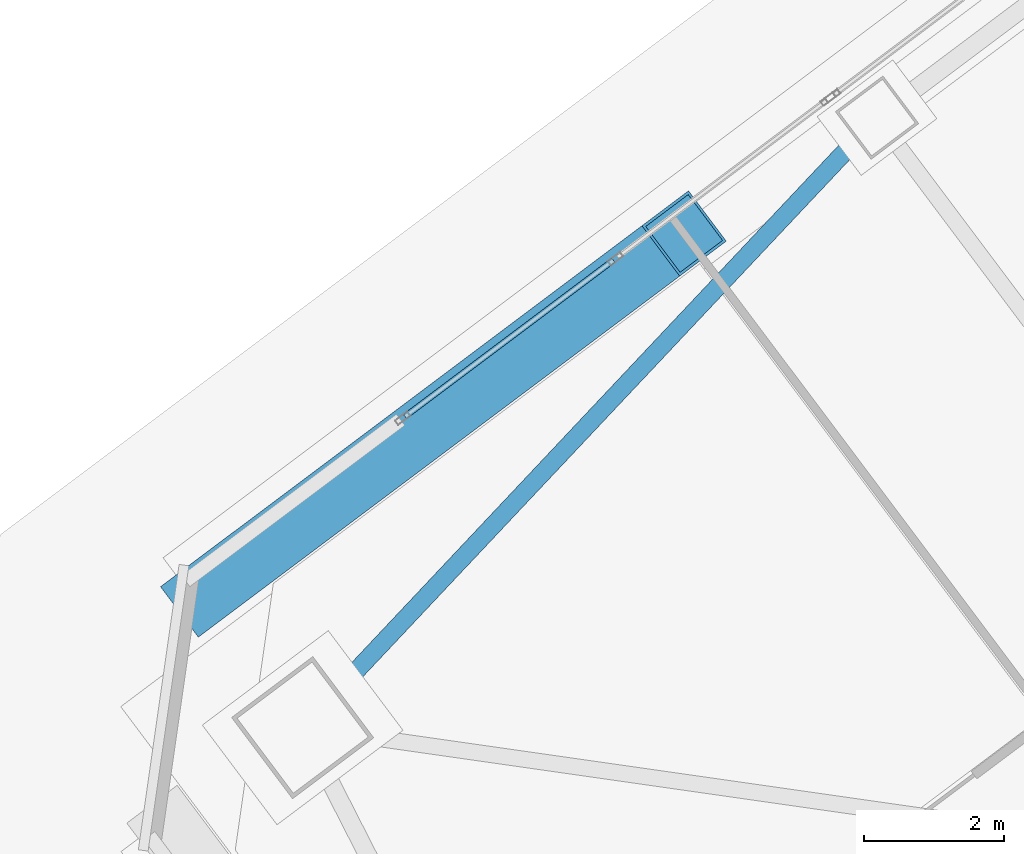
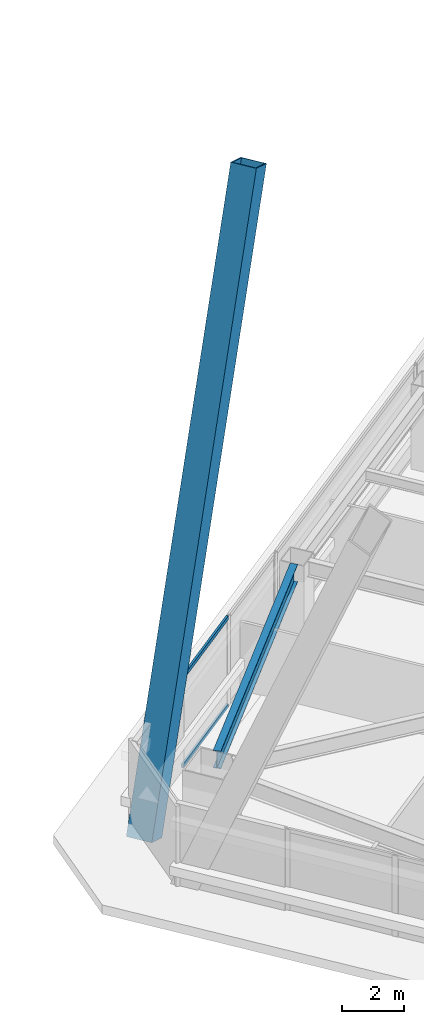
# One storey, part 46 of 67: 3 members, 1 beam, 1 element without a shape of its own.
"""IFC4 building model written with IfcOpenShell, lengths in metres."""

from ifc_helpers import new_model, si_unit, direction, frame, origin, origin_2d, place, context, subcontext, project, spatial, hollow_rectangle, i_section, extrude, material, material_profile, profile_set, type_object, element, aggregate, save


model = new_model("IFC4")

# Units and contexts
model_context = context("Model", 3, precision=1e-05, world=origin(), true_north=direction((0.0, 1.0)))
body_context = subcontext(model_context, "Body", "Model", "MODEL_VIEW")
ifc_project = project(units=[si_unit("LENGTHUNIT", "METRE"), si_unit("AREAUNIT", "SQUARE_METRE"), si_unit("VOLUMEUNIT", "CUBIC_METRE"), si_unit("PLANEANGLEUNIT", "RADIAN"), si_unit("MASSUNIT", "GRAM", prefix="KILO")], contexts=[model_context])

# Site, building, storey
site_placement = place(None, origin())
site = spatial("IfcSite", under=ifc_project, at=site_placement, CompositionType="ELEMENT")
building_placement = place(site_placement, origin())
building = spatial("IfcBuilding", under=site, at=building_placement, Name="Tashvorn Skyway Center", CompositionType="ELEMENT")
storey_placement = place(building_placement, frame((0.0, 0.0, 67.199951171875)))
storey = spatial("IfcBuildingStorey", under=building, at=storey_placement, Name="L17", CompositionType="ELEMENT", Elevation=67.199951171875)

# Beam
ifc_material_1 = material(Name="Steel ASTM A992 Grade 50", Category="steel")
ifc_material_profile_1 = material_profile(ifc_material_1, i_section(OverallWidth=0.256103515625, OverallDepth=0.693115234375, WebThickness=0.014404296875, FlangeThickness=0.023681640625, at=origin_2d()), Name="W27X114")
ifc_profile_set_1 = profile_set([ifc_material_profile_1], Name="Steel ASTM A992 Grade 50")
beam_type = type_object("IfcBeamType", Name="BM-SPANDREL-W27X114", PredefinedType="SPANDREL", material=ifc_profile_set_1)
beam_placement = place(storey_placement, frame((97.842041015625, 43.854248046875, 3.003662109375), z_axis=(-0.685484857238, -0.728086883893, 0.0), x_axis=(0.728086883893, -0.685484857238, 0.0)))
element("IfcBeam", 1, at=beam_placement, inside=storey, type_object=beam_type, Name="Tower 2 L17 Spandrel Beam 09", PredefinedType="SPANDREL", context=body_context, shape_type="SweptSolid", body=[
    extrude(i_section(OverallWidth=0.256103515625, OverallDepth=0.693115234375, WebThickness=0.014404296875, FlangeThickness=0.023681640625, at=origin_2d()), origin(), (0.0, 0.0, 1.0), 10.8369140625),
])

# Curtain wall, members
ifc_material_2 = material(Name="Thermally broken bronze-anodized aluminium 6063-T6", Category="aluminium")
curtain_wall_type = type_object("IfcCurtainWallType", Name="CW-CW-Z2", PredefinedType="NOTDEFINED", material=ifc_material_2)
curtain_wall_placement = place(storey_placement, origin())
curtain_wall = element("IfcCurtainWall", 2, at=curtain_wall_placement, inside=storey, type_object=curtain_wall_type, Name="Tower 2 L17 North Unitised Curtain Wall Glazing Group 1", PredefinedType="NOTDEFINED")
ifc_material_profile_2 = material_profile(ifc_material_2, hollow_rectangle(XDim=0.080078125, YDim=0.14990234375, WallThickness=0.00439453125, at=origin_2d()), Name="ALU-TRAN-80x150")
ifc_profile_set_2 = profile_set([ifc_material_profile_2], Name="Thermally broken bronze-anodized aluminium 6063-T6")
member_type_1 = type_object("IfcMemberType", Name="CWT-CW-Z2", PredefinedType="USERDEFINED", material=ifc_profile_set_2)
member_1_placement = place(storey_placement, frame((91.384033203125, 39.887939453125, 0.0400390625), z_axis=(0.799984249419, 0.6000210002, 0.0), x_axis=(-0.6000210002, 0.799984249419, 0.0)))
member_1 = element("IfcMember", 3, at=member_1_placement, type_object=member_type_1, Name="CW-Z2 transom 1.1", ObjectType="TRANSOM", PredefinedType="USERDEFINED", context=body_context, shape_type="SweptSolid", body=[
    extrude(hollow_rectangle(XDim=0.080078125, YDim=0.14990234375, WallThickness=0.00439453125, at=origin_2d()), origin(), (0.0, 0.0, 1.0), 3.72021484375),
])
member_2_placement = place(storey_placement, frame((91.384033203125, 39.887939453125, 3.510009765625), z_axis=(0.799984249419, 0.6000210002, 0.0), x_axis=(-0.6000210002, 0.799984249419, 0.0)))
member_2 = element("IfcMember", 4, at=member_2_placement, type_object=member_type_1, Name="CW-Z2 transom 1.2", ObjectType="TRANSOM", PredefinedType="USERDEFINED", context=body_context, shape_type="SweptSolid", body=[
    extrude(hollow_rectangle(XDim=0.080078125, YDim=0.14990234375, WallThickness=0.00439453125, at=origin_2d()), origin(), (0.0, 0.0, 1.0), 3.72021484375),
])
aggregate(curtain_wall, [member_1, member_2])

# Member
ifc_material_3 = material(Name="Steel ASTM A572 Grade 50", Category="steel")
ifc_material_profile_3 = material_profile(ifc_material_3, hollow_rectangle(XDim=0.89990234375, YDim=0.89990234375, WallThickness=0.0400390625, at=origin_2d()), Name="BOX900x900x40")
ifc_profile_set_3 = profile_set([ifc_material_profile_3], Name="Steel ASTM A572 Grade 50")
member_type_2 = type_object("IfcMemberType", Name="MEM-MB-900", PredefinedType="BRACE", material=ifc_profile_set_3)
member_3_placement = place(storey_placement, frame((88.491943359375, 37.343994140625, -0.219970703125), z_axis=(0.302322090541, 0.226733522004, 0.925847321954), x_axis=(-0.599986373537, 0.800010219666, 0.0)))
element("IfcMember", 5, at=member_3_placement, inside=storey, type_object=member_type_2, Name="Tower 2 Zone 2 N Chevron Mega-Brace R1", PredefinedType="BRACE", context=body_context, shape_type="SweptSolid", body=[
    extrude(hollow_rectangle(XDim=0.89990234375, YDim=0.89990234375, WallThickness=0.0400390625, at=origin_2d()), origin(), (0.0, 0.0, 1.0), 22.757568359375),
])

save(model, "model.ifc")
